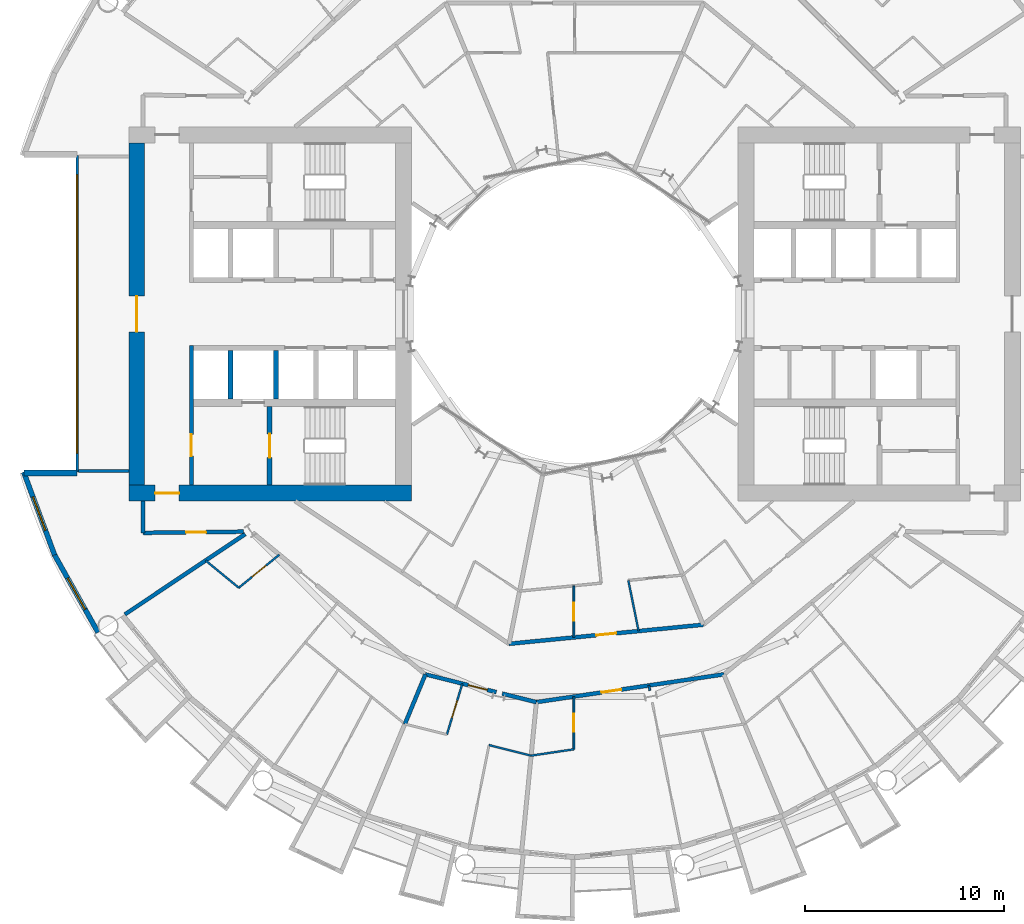
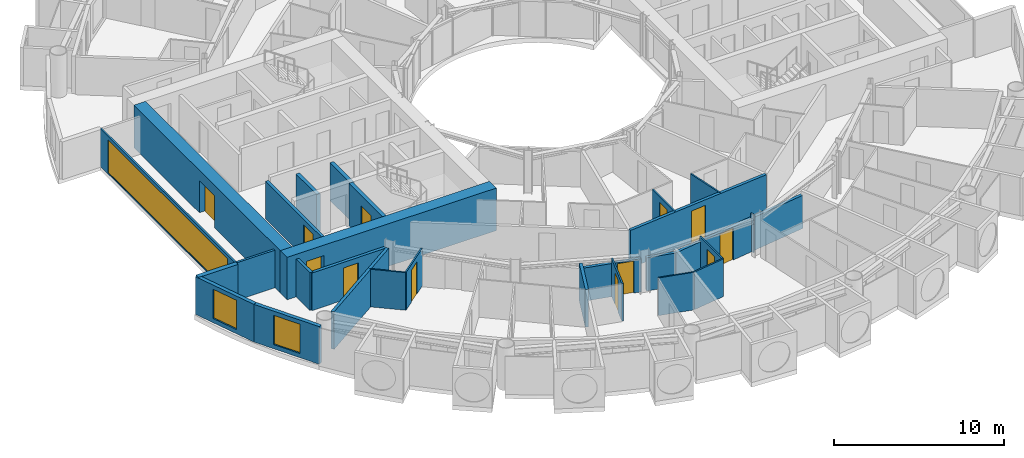
# One storey, part 14 of 26: 28 walls, 12 doors, 3 windows, 15 openings.
"""IFC4 building model written with IfcOpenShell, lengths in metres."""

from ifc_helpers import new_model, si_unit, direction, frame, frame_2d, origin, place, context, subcontext, project, spatial, rectangle, extrude, material, layer, layer_set, type_object, element, fill, save


model = new_model("IFC4")

# Units and contexts
model_context = context("Model", 3, precision=1e-05, world=origin(), true_north=direction((0.0, 1.0)))
body_context = subcontext(model_context, "Body", "Model", "MODEL_VIEW")
ifc_project = project(units=[si_unit("LENGTHUNIT", "METRE"), si_unit("AREAUNIT", "SQUARE_METRE"), si_unit("VOLUMEUNIT", "CUBIC_METRE"), si_unit("PLANEANGLEUNIT", "RADIAN"), si_unit("MASSUNIT", "GRAM", prefix="KILO")], contexts=[model_context])

# Site, building, storey
site_placement = place(None, origin())
site = spatial("IfcSite", under=ifc_project, at=site_placement, CompositionType="ELEMENT")
building_placement = place(site_placement, origin())
building = spatial("IfcBuilding", under=site, at=building_placement, Name="Maasbend Ring Residences", CompositionType="ELEMENT")
storey_placement = place(building_placement, frame((0.0, 0.0, 38.050048828125)))
storey = spatial("IfcBuildingStorey", under=building, at=storey_placement, Name="L10", CompositionType="ELEMENT", Elevation=38.050048828125)

# Wall, opening, door
ifc_material_1 = material(Name="Concrete C70/85", Category="concrete")
ifc_layer_1 = layer(ifc_material_1, 0.25)
ifc_layer_set_1 = layer_set([ifc_layer_1], Name="Concrete C70/85")
wall_type_1 = type_object("IfcWallType", Name="CORE WALL 250 C70/85", PredefinedType="SHEAR", material=ifc_layer_set_1)
wall_1_placement = place(storey_placement, frame((-15.324951171875, -4.64990234375, 0.0), z_axis=(0.0, 0.0, 1.0), x_axis=(0.0, -1.0, 0.0)))
wall_1 = element("IfcWall", 1, at=wall_1_placement, inside=storey, type_object=wall_type_1, Name="L10 core W wall STEN", PredefinedType="SHEAR", context=body_context, shape_type="SweptSolid", body=[
    extrude(rectangle(XDim=3.9501953125, YDim=0.25, at=frame_2d((1.97509765625, 0.0))), origin(), (0.0, 0.0, 1.0), 3.050048828125),
])
opening_1_placement = place(wall_1_placement, frame((1.375, 0.0, 0.0)))
opening_1 = element("IfcOpeningElement", 2, at=opening_1_placement, cuts=wall_1, Name="Opening D-W1010", PredefinedType="OPENING", context=body_context, shape_type="SweptSolid", body=[
    extrude(rectangle(XDim=1.199951171875, YDim=2.300048828125, at=frame_2d((0.60009765625, 1.14990234375))), frame((0.0, 0.135009765625, 0.0), z_axis=(0.0, -1.0, 0.0), x_axis=(1.0, 0.0, 0.0)), (0.0, 0.0, 1.0), 0.27001953125),
])
ifc_material_2 = material(Name="Steel, powder coated", Category="steel")
door_type_1 = type_object("IfcDoorType", Name="STAIR DOOR 1200 X 2300 FD60", OperationType="NOTDEFINED", PredefinedType="DOOR", material=ifc_material_2)
door_1_placement = place(opening_1_placement, origin())
door_1 = element("IfcDoor", 3, at=door_1_placement, inside=storey, type_object=door_type_1, Name="Stair door ST-W L10", OperationType="SINGLE_SWING_LEFT", OverallHeight=2.300048828125, OverallWidth=1.199951171875, PredefinedType="DOOR", context=body_context, shape_type="SweptSolid", body=[
    extrude(rectangle(XDim=1.199951171875, YDim=2.300048828125, at=frame_2d((0.60009765625, 1.14990234375))), frame((0.0, 0.02490234375, 0.0), z_axis=(0.0, -1.0, 0.0), x_axis=(1.0, 0.0, 0.0)), (0.0, 0.0, 1.0), 0.050048828125),
])
fill(opening_1, door_1)

ifc_material_3 = material(Name="Concrete C70/85", Category="concrete")
ifc_layer_2 = layer(ifc_material_3, 0.800048828125)
ifc_layer_set_2 = layer_set([ifc_layer_2], Name="Concrete C70/85")
wall_type_2 = type_object("IfcWallType", Name="CORE WALL 800 C70/85", PredefinedType="SHEAR", material=ifc_layer_set_2)
wall_2_placement = place(storey_placement, frame((-22.39990234375, -9.0, 0.0), z_axis=(0.0, 0.0, 1.0), x_axis=(1.0, 0.0, 0.0)))
wall_2 = element("IfcWall", 4, at=wall_2_placement, inside=storey, type_object=wall_type_2, Name="L10 core W wall PN", PredefinedType="SHEAR", context=body_context, shape_type="SweptSolid", body=[
    extrude(rectangle(XDim=14.199951171875, YDim=0.800048828125, at=frame_2d((7.10009765625, 0.0))), origin(), (0.0, 0.0, 1.0), 3.050048828125),
])
opening_2_placement = place(wall_2_placement, frame((1.324951171875, 0.0, 0.0)))
opening_2 = element("IfcOpeningElement", 5, at=opening_2_placement, cuts=wall_2, Name="Opening D-W1014", PredefinedType="OPENING", context=body_context, shape_type="SweptSolid", body=[
    extrude(rectangle(XDim=1.199951171875, YDim=2.300048828125, at=frame_2d((0.60009765625, 1.14990234375))), frame((0.0, 0.41015625, 0.0), z_axis=(0.0, -1.0, 0.0), x_axis=(1.0, 0.0, 0.0)), (0.0, 0.0, 1.0), 0.820068359375),
])
ifc_material_4 = material(Name="Steel, powder coated", Category="steel")
door_type_2 = type_object("IfcDoorType", Name="CORRIDOR DOOR 1200 X 2300 FD30S", OperationType="NOTDEFINED", PredefinedType="DOOR", material=ifc_material_4)
door_2_placement = place(opening_2_placement, origin())
door_2 = element("IfcDoor", 6, at=door_2_placement, inside=storey, type_object=door_type_2, Name="Corridor door L10", OperationType="SINGLE_SWING_RIGHT", OverallHeight=2.300048828125, OverallWidth=1.199951171875, PredefinedType="DOOR", context=body_context, shape_type="SweptSolid", body=[
    extrude(rectangle(XDim=1.199951171875, YDim=2.300048828125, at=frame_2d((0.60009765625, 1.14990234375))), frame((0.0, 0.02490234375, 0.0), z_axis=(0.0, -1.0, 0.0), x_axis=(1.0, 0.0, 0.0)), (0.0, 0.0, 1.0), 0.050048828125),
])
fill(opening_2, door_2)

wall_3_placement = place(storey_placement, frame((-22.0, -8.60009765625, 0.0), z_axis=(0.0, 0.0, 1.0), x_axis=(0.0, 1.0, 0.0)))
wall_3 = element("IfcWall", 7, at=wall_3_placement, inside=storey, type_object=wall_type_2, Name="L10 core W wall POUT", PredefinedType="SHEAR", context=body_context, shape_type="SweptSolid", body=[
    extrude(rectangle(XDim=17.2001953125, YDim=0.800048828125, at=frame_2d((8.60009765625, 0.0))), origin(), (0.0, 0.0, 1.0), 3.050048828125),
])
opening_3_placement = place(wall_3_placement, frame((7.699951171875, 0.0, 0.0)))
opening_3 = element("IfcOpeningElement", 8, at=opening_3_placement, cuts=wall_3, Name="Opening D-W1016", PredefinedType="OPENING", context=body_context, shape_type="SweptSolid", body=[
    extrude(rectangle(XDim=1.800048828125, YDim=2.300048828125, at=frame_2d((0.89990234375, 1.14990234375))), frame((0.0, 0.41015625, 0.0), z_axis=(0.0, -1.0, 0.0), x_axis=(1.0, 0.0, 0.0)), (0.0, 0.0, 1.0), 0.820068359375),
])
ifc_material_5 = material(Name="Aluminium frame, clear glass", Category="aluminium")
door_type_3 = type_object("IfcDoorType", Name="ENTRANCE DOOR 1800 X 2300 FD60", OperationType="NOTDEFINED", PredefinedType="DOOR", material=ifc_material_5)
door_3_placement = place(opening_3_placement, origin())
door_3 = element("IfcDoor", 9, at=door_3_placement, inside=storey, type_object=door_type_3, Name="Lobby glazed door L10", OperationType="SINGLE_SWING_LEFT", OverallHeight=2.300048828125, OverallWidth=1.800048828125, PredefinedType="DOOR", context=body_context, shape_type="SweptSolid", body=[
    extrude(rectangle(XDim=1.800048828125, YDim=2.300048828125, at=frame_2d((0.89990234375, 1.14990234375))), frame((0.0, 0.02490234375, 0.0), z_axis=(0.0, -1.0, 0.0), x_axis=(1.0, 0.0, 0.0)), (0.0, 0.0, 1.0), 0.050048828125),
])
fill(opening_3, door_3)

ifc_material_6 = material(Name="Concrete C30/37", Category="concrete")
ifc_layer_3 = layer(ifc_material_6, 0.199951171875)
ifc_layer_set_3 = layer_set([ifc_layer_3], Name="Concrete C30/37")
wall_type_3 = type_object("IfcWallType", Name="CORRIDOR WALL 200 CONCRETE", PredefinedType="PARTITIONING", material=ifc_layer_set_3)
wall_4_placement = place(storey_placement, frame((-7.5009765625, -18.10791015625, 0.0), z_axis=(0.0, 0.0, 1.0), x_axis=(0.970040840928, -0.242941900323, 0.0)))
wall_4 = element("IfcWall", 10, at=wall_4_placement, inside=storey, type_object=wall_type_3, Name="U-L10-w011", PredefinedType="PARTITIONING", context=body_context, shape_type="SweptSolid", body=[
    extrude(rectangle(XDim=3.676025390625, YDim=0.199951171875, at=frame_2d((1.837890625, 0.0))), origin(), (0.0, 0.0, 1.0), 2.3798828125),
])
opening_4_placement = place(wall_4_placement, frame((2.217041015625, 0.0, 0.0)))
opening_4 = element("IfcOpeningElement", 11, at=opening_4_placement, cuts=wall_4, Name="Opening D-1039", PredefinedType="OPENING", context=body_context, shape_type="SweptSolid", body=[
    extrude(rectangle(XDim=1.0, YDim=2.300048828125, at=frame_2d((0.5, 1.14990234375))), frame((0.0, 0.10986328125, 0.0), z_axis=(0.0, -1.0, 0.0), x_axis=(1.0, 0.0, 0.0)), (0.0, 0.0, 1.0), 0.219970703125),
])
ifc_material_7 = material(Name="Timber, fire-rated, painted", Category="wood")
door_type_4 = type_object("IfcDoorType", Name="FLAT ENTRANCE DOOR 1000 X 2300 FIRE-RATED", OperationType="NOTDEFINED", PredefinedType="DOOR", material=ifc_material_7)
door_4_placement = place(opening_4_placement, origin())
door_4 = element("IfcDoor", 12, at=door_4_placement, inside=storey, type_object=door_type_4, Name="D-1039", OperationType="SINGLE_SWING_RIGHT", OverallHeight=2.300048828125, OverallWidth=1.0, PredefinedType="DOOR", context=body_context, shape_type="SweptSolid", body=[
    extrude(rectangle(XDim=1.0, YDim=2.300048828125, at=frame_2d((0.5, 1.14990234375))), frame((0.0, 0.02490234375, 0.0), z_axis=(0.0, -1.0, 0.0), x_axis=(1.0, 0.0, 0.0)), (0.0, 0.0, 1.0), 0.050048828125),
])
fill(opening_4, door_4)

# Wall
wall_5_placement = place(storey_placement, frame((-3.638916015625, -19.075927734375, 0.0), z_axis=(0.0, 0.0, 1.0), x_axis=(0.970053237222, -0.242892397895, 0.0)))
element("IfcWall", 13, at=wall_5_placement, inside=storey, type_object=wall_type_3, Name="U-L10-w012", PredefinedType="PARTITIONING", context=body_context, shape_type="SweptSolid", body=[
    extrude(rectangle(XDim=1.77099609375, YDim=0.199951171875, at=frame_2d((0.885498046875, 0.0))), origin(), (0.0, 0.0, 1.0), 2.3798828125),
])

# Wall, opening, door
wall_6_placement = place(storey_placement, frame((-1.927001953125, -19.506103515625, 0.0), z_axis=(0.0, 0.0, 1.0), x_axis=(0.989181308547, 0.146698121399, 0.0)))
wall_6 = element("IfcWall", 14, at=wall_6_placement, inside=storey, type_object=wall_type_3, Name="U-L10-w013", PredefinedType="PARTITIONING", context=body_context, shape_type="SweptSolid", body=[
    extrude(rectangle(XDim=9.531005859375, YDim=0.199951171875, at=frame_2d((4.765625, 0.0))), origin(), (0.0, 0.0, 1.0), 2.3798828125),
])
opening_5_placement = place(wall_6_placement, frame((3.31591796875, 0.0, 0.0)))
opening_5 = element("IfcOpeningElement", 15, at=opening_5_placement, cuts=wall_6, Name="Opening D-1042", PredefinedType="OPENING", context=body_context, shape_type="SweptSolid", body=[
    extrude(rectangle(XDim=1.0, YDim=2.300048828125, at=frame_2d((0.5, 1.14990234375))), frame((0.0, 0.10986328125, 0.0), z_axis=(0.0, -1.0, 0.0), x_axis=(1.0, 0.0, 0.0)), (0.0, 0.0, 1.0), 0.219970703125),
])
door_5_placement = place(opening_5_placement, origin())
door_5 = element("IfcDoor", 16, at=door_5_placement, inside=storey, type_object=door_type_4, Name="D-1042", OperationType="SINGLE_SWING_LEFT", OverallHeight=2.300048828125, OverallWidth=1.0, PredefinedType="DOOR", context=body_context, shape_type="SweptSolid", body=[
    extrude(rectangle(XDim=1.0, YDim=2.300048828125, at=frame_2d((0.5, 1.14990234375))), frame((0.0, 0.02490234375, 0.0), z_axis=(0.0, -1.0, 0.0), x_axis=(1.0, 0.0, 0.0)), (0.0, 0.0, 1.0), 0.050048828125),
])
fill(opening_5, door_5)

wall_7_placement = place(storey_placement, frame((-3.297119140625, -16.574951171875, 0.0), z_axis=(0.0, 0.0, 1.0), x_axis=(0.995201860711, 0.097843019361, 0.0)))
wall_7 = element("IfcWall", 17, at=wall_7_placement, inside=storey, type_object=wall_type_3, Name="U-L10-w016", PredefinedType="PARTITIONING", context=body_context, shape_type="SweptSolid", body=[
    extrude(rectangle(XDim=9.811279296875, YDim=0.199951171875, at=frame_2d((4.90576171875, 0.0))), origin(), (0.0, 0.0, 1.0), 2.699951171875),
])
opening_6_placement = place(wall_7_placement, frame((4.406005859375, 0.0, 0.0)))
opening_6 = element("IfcOpeningElement", 18, at=opening_6_placement, cuts=wall_7, Name="Opening D-1057", PredefinedType="OPENING", context=body_context, shape_type="SweptSolid", body=[
    extrude(rectangle(XDim=1.0, YDim=2.300048828125, at=frame_2d((0.5, 1.14990234375))), frame((0.0, 0.10986328125, 0.0), z_axis=(0.0, -1.0, 0.0), x_axis=(1.0, 0.0, 0.0)), (0.0, 0.0, 1.0), 0.219970703125),
])
door_6_placement = place(opening_6_placement, origin())
door_6 = element("IfcDoor", 19, at=door_6_placement, inside=storey, type_object=door_type_4, Name="D-1057", OperationType="SINGLE_SWING_RIGHT", OverallHeight=2.300048828125, OverallWidth=1.0, PredefinedType="DOOR", context=body_context, shape_type="SweptSolid", body=[
    extrude(rectangle(XDim=1.0, YDim=2.300048828125, at=frame_2d((0.5, 1.14990234375))), frame((0.0, 0.02490234375, 0.0), z_axis=(0.0, -1.0, 0.0), x_axis=(1.0, 0.0, 0.0)), (0.0, 0.0, 1.0), 0.050048828125),
])
fill(opening_6, door_6)

wall_8_placement = place(storey_placement, frame((-21.675048828125, -11.0, 0.0), z_axis=(0.0, 0.0, 1.0), x_axis=(0.999928980998, 0.011917758204, 0.0)))
wall_8 = element("IfcWall", 20, at=wall_8_placement, inside=storey, type_object=wall_type_3, Name="U-L10-w025", PredefinedType="PARTITIONING", context=body_context, shape_type="SweptSolid", body=[
    extrude(rectangle(XDim=5.039306640625, YDim=0.199951171875, at=frame_2d((2.51953125, 0.0))), origin(), (0.0, 0.0, 1.0), 2.699951171875),
])
opening_7_placement = place(wall_8_placement, frame((2.154052734375, 0.0, 0.0)))
opening_7 = element("IfcOpeningElement", 21, at=opening_7_placement, cuts=wall_8, Name="Opening D-1065", PredefinedType="OPENING", context=body_context, shape_type="SweptSolid", body=[
    extrude(rectangle(XDim=1.0, YDim=2.300048828125, at=frame_2d((0.5, 1.14990234375))), frame((0.0, 0.10986328125, 0.0), z_axis=(0.0, -1.0, 0.0), x_axis=(1.0, 0.0, 0.0)), (0.0, 0.0, 1.0), 0.219970703125),
])
ifc_material_8 = material(Name="Timber, painted", Category="wood")
door_type_5 = type_object("IfcDoorType", Name="ROOM DOOR 1000 X 2300", OperationType="NOTDEFINED", PredefinedType="DOOR", material=ifc_material_8)
door_7_placement = place(opening_7_placement, origin())
door_7 = element("IfcDoor", 22, at=door_7_placement, inside=storey, type_object=door_type_5, Name="D-1065", OperationType="SINGLE_SWING_RIGHT", OverallHeight=2.300048828125, OverallWidth=1.0, PredefinedType="DOOR", context=body_context, shape_type="SweptSolid", body=[
    extrude(rectangle(XDim=1.0, YDim=2.300048828125, at=frame_2d((0.5, 1.14990234375))), frame((0.0, 0.02490234375, 0.0), z_axis=(0.0, -1.0, 0.0), x_axis=(1.0, 0.0, 0.0)), (0.0, 0.0, 1.0), 0.050048828125),
])
fill(opening_7, door_7)

# Wall
wall_9_placement = place(storey_placement, frame((-21.675048828125, -11.0, 0.0), z_axis=(0.0, 0.0, 1.0), x_axis=(0.0, 1.0, 0.0)))
element("IfcWall", 23, at=wall_9_placement, inside=storey, type_object=wall_type_3, Name="U-L10-w115", PredefinedType="PARTITIONING", context=body_context, shape_type="SweptSolid", body=[
    extrude(rectangle(XDim=1.60009765625, YDim=0.199951171875, at=frame_2d((0.800048828125, 0.0))), origin(), (0.0, 0.0, 1.0), 2.699951171875),
])

# Wall, opening, window
ifc_material_9 = material(Name="Aluminium clad insulated panel", Category="aluminium")
ifc_layer_4 = layer(ifc_material_9, 0.25)
ifc_layer_set_4 = layer_set([ifc_layer_4], Name="EW-HORN")
wall_type_4 = type_object("IfcWallType", Name="EW-HORN", PredefinedType="SOLIDWALL", material=ifc_layer_set_4)
wall_10_placement = place(storey_placement, frame((-27.681884765625, -7.945068359375, 0.0), z_axis=(0.0, 0.0, 1.0), x_axis=(0.349247811493, -0.937030397675, 0.0)))
wall_10 = element("IfcWall", 24, at=wall_10_placement, inside=storey, type_object=wall_type_4, Name="Horn wall 3.1", PredefinedType="SOLIDWALL", context=body_context, shape_type="SweptSolid", body=[
    extrude(rectangle(XDim=4.4521484375, YDim=0.25, at=frame_2d((2.22607421875, 0.0))), origin(), (0.0, 0.0, 1.0), 2.699951171875),
])
opening_8_placement = place(wall_10_placement, frame((1.32666015625, 0.0, 0.300048828125)))
opening_8 = element("IfcOpeningElement", 25, at=opening_8_placement, cuts=wall_10, Name="Opening W-BX", PredefinedType="OPENING", context=body_context, shape_type="SweptSolid", body=[
    extrude(rectangle(XDim=1.800048828125, YDim=2.10009765625, at=frame_2d((0.89990234375, 1.050048828125))), frame((0.0, 0.135009765625, 0.0), z_axis=(0.0, -1.0, 0.0), x_axis=(1.0, 0.0, 0.0)), (0.0, 0.0, 1.0), 0.27001953125),
])
ifc_material_10 = material(Name="Aluminium and clear glass", Category="aluminium")
window_type_1 = type_object("IfcWindowType", Name="W-BX", PartitioningType="DOUBLE_PANEL_VERTICAL", PredefinedType="WINDOW", material=ifc_material_10)
window_1_placement = place(opening_8_placement, origin())
window_1 = element("IfcWindow", 26, at=window_1_placement, inside=storey, type_object=window_type_1, Name="Horn window 3.1", OverallHeight=2.10009765625, OverallWidth=1.800048828125, PartitioningType="SINGLE_PANEL", PredefinedType="WINDOW", context=body_context, shape_type="SweptSolid", body=[
    extrude(rectangle(XDim=1.800048828125, YDim=2.10009765625, at=frame_2d((0.89990234375, 1.050048828125))), frame((0.0, 0.030029296875, 0.0), z_axis=(0.0, -1.0, 0.0), x_axis=(1.0, 0.0, 0.0)), (0.0, 0.0, 1.0), 0.06005859375),
])
fill(opening_8, window_1)

wall_11_placement = place(storey_placement, frame((-26.126953125, -12.116943359375, 0.0), z_axis=(0.0, 0.0, 1.0), x_axis=(0.489696356642, -0.871893042919, 0.0)))
wall_11 = element("IfcWall", 27, at=wall_11_placement, inside=storey, type_object=wall_type_4, Name="Horn wall 3.2", PredefinedType="SOLIDWALL", context=body_context, shape_type="SweptSolid", body=[
    extrude(rectangle(XDim=4.45361328125, YDim=0.25, at=frame_2d((2.226806640625, 0.0))), origin(), (0.0, 0.0, 1.0), 2.699951171875),
])
opening_9_placement = place(wall_11_placement, frame((1.32666015625, 0.0, 0.300048828125)))
opening_9 = element("IfcOpeningElement", 28, at=opening_9_placement, cuts=wall_11, Name="Opening W-BX", PredefinedType="OPENING", context=body_context, shape_type="SweptSolid", body=[
    extrude(rectangle(XDim=1.800048828125, YDim=2.10009765625, at=frame_2d((0.89990234375, 1.050048828125))), frame((0.0, 0.135009765625, 0.0), z_axis=(0.0, -1.0, 0.0), x_axis=(1.0, 0.0, 0.0)), (0.0, 0.0, 1.0), 0.27001953125),
])
window_2_placement = place(opening_9_placement, origin())
window_2 = element("IfcWindow", 29, at=window_2_placement, inside=storey, type_object=window_type_1, Name="Horn window 3.2", OverallHeight=2.10009765625, OverallWidth=1.800048828125, PartitioningType="SINGLE_PANEL", PredefinedType="WINDOW", context=body_context, shape_type="SweptSolid", body=[
    extrude(rectangle(XDim=1.800048828125, YDim=2.10009765625, at=frame_2d((0.89990234375, 1.050048828125))), frame((0.0, 0.030029296875, 0.0), z_axis=(0.0, -1.0, 0.0), x_axis=(1.0, 0.0, 0.0)), (0.0, 0.0, 1.0), 0.06005859375),
])
fill(opening_9, window_2)

# Wall
ifc_material_11 = material(Name="Aluminium clad insulated panel", Category="aluminium")
ifc_layer_5 = layer(ifc_material_11, 0.300048828125)
ifc_layer_set_5 = layer_set([ifc_layer_5], Name="EW-RET")
wall_type_5 = type_object("IfcWallType", Name="EW-RET", PredefinedType="SOLIDWALL", material=ifc_layer_set_5)
wall_12_placement = place(storey_placement, frame((-25.0, -8.0, 0.0), z_axis=(0.0, 0.0, 1.0), x_axis=(-1.0, 0.0, 0.0)))
element("IfcWall", 30, at=wall_12_placement, inside=storey, type_object=wall_type_5, Name="Notch return wall west south", PredefinedType="SOLIDWALL", context=body_context, shape_type="SweptSolid", body=[
    extrude(rectangle(XDim=2.6669921875, YDim=0.300048828125, at=frame_2d((1.33349609375, 0.0))), origin(), (0.0, 0.0, 1.0), 2.699951171875),
])

# Wall, opening, window
ifc_material_12 = material(Name="Aluminium frame and clear glass", Category="aluminium")
ifc_layer_6 = layer(ifc_material_12, 0.1201171875)
ifc_layer_set_6 = layer_set([ifc_layer_6], Name="GLAZED SCREEN WALL 120 EI 60")
wall_type_6 = type_object("IfcWallType", Name="GLAZED SCREEN WALL 120 EI 60", PredefinedType="PARTITIONING", material=ifc_layer_set_6)
wall_13_placement = place(storey_placement, frame((-25.0, 7.949951171875, 0.0), z_axis=(0.0, 0.0, 1.0), x_axis=(0.0, -1.0, 0.0)))
wall_13 = element("IfcWall", 31, at=wall_13_placement, inside=storey, type_object=wall_type_6, Name="L10 core W wall FACE", PredefinedType="PARTITIONING", context=body_context, shape_type="SweptSolid", body=[
    extrude(rectangle(XDim=15.89990234375, YDim=0.1201171875, at=frame_2d((7.949951171875, 0.0))), origin(), (0.0, 0.0, 1.0), 2.699951171875),
])
opening_10_placement = place(wall_13_placement, frame((0.949951171875, 0.0, 0.10009765625)))
opening_10 = element("IfcOpeningElement", 32, at=opening_10_placement, cuts=wall_13, Name="Opening W-W1002", PredefinedType="OPENING", context=body_context, shape_type="SweptSolid", body=[
    extrude(rectangle(XDim=14.0, YDim=2.35009765625, at=frame_2d((7.0, 1.175048828125))), frame((0.0, 0.070068359375, 0.0), z_axis=(0.0, -1.0, 0.0), x_axis=(1.0, 0.0, 0.0)), (0.0, 0.0, 1.0), 0.14013671875),
])
ifc_material_13 = material(Name="Aluminium frame and clear glass", Category="aluminium")
window_type_2 = type_object("IfcWindowType", Name="FIXED WINDOW 14000 X 2350", PartitioningType="SINGLE_PANEL", PredefinedType="WINDOW", material=ifc_material_13)
window_3_placement = place(opening_10_placement, origin())
window_3 = element("IfcWindow", 33, at=window_3_placement, inside=storey, type_object=window_type_2, Name="Lobby window L10", OverallHeight=2.35009765625, OverallWidth=14.0, PartitioningType="SINGLE_PANEL", PredefinedType="WINDOW", context=body_context, shape_type="SweptSolid", body=[
    extrude(rectangle(XDim=14.0, YDim=2.35009765625, at=frame_2d((7.0, 1.175048828125))), frame((0.0, 0.030029296875, 0.0), z_axis=(0.0, -1.0, 0.0), x_axis=(1.0, 0.0, 0.0)), (0.0, 0.0, 1.0), 0.06005859375),
])
fill(opening_10, window_3)

# Walls
ifc_material_14 = material(Name="Gypsum board on steel studs", Category="steel")
ifc_layer_7 = layer(ifc_material_14, 0.10009765625)
ifc_layer_set_7 = layer_set([ifc_layer_7], Name="PARTITION 100 GYPSUM")
wall_type_7 = type_object("IfcWallType", Name="PARTITION 100 GYPSUM", PredefinedType="PARTITIONING", material=ifc_layer_set_7)
wall_14_placement = place(storey_placement, frame((-4.302001953125, -21.6630859375, 0.0), z_axis=(0.0, 0.0, 1.0), x_axis=(0.97003047456, -0.242983288366, 0.0)))
element("IfcWall", 34, at=wall_14_placement, inside=storey, type_object=wall_type_7, Name="U-L10-w002", PredefinedType="PARTITIONING", context=body_context, shape_type="SweptSolid", body=[
    extrude(rectangle(XDim=2.181396484375, YDim=0.10009765625, at=frame_2d((1.0908203125, 0.0))), origin(), (0.0, 0.0, 1.0), 2.699951171875),
])
wall_15_placement = place(storey_placement, frame((-2.18603515625, -22.193115234375, 0.0), z_axis=(0.0, 0.0, 1.0), x_axis=(0.989171386505, 0.146765009863, 0.0)))
element("IfcWall", 35, at=wall_15_placement, inside=storey, type_object=wall_type_7, Name="U-L10-w005", PredefinedType="PARTITIONING", context=body_context, shape_type="SweptSolid", body=[
    extrude(rectangle(XDim=2.16748046875, YDim=0.10009765625, at=frame_2d((1.083740234375, 0.0))), origin(), (0.0, 0.0, 1.0), 2.699951171875),
])
wall_16_placement = place(storey_placement, frame((-18.5419921875, -12.388916015625, 0.0), z_axis=(0.0, 0.0, 1.0), x_axis=(0.772948171844, -0.634469166818, 0.0)))
element("IfcWall", 36, at=wall_16_placement, inside=storey, type_object=wall_type_7, Name="U-L10-w007", PredefinedType="PARTITIONING", context=body_context, shape_type="SweptSolid", body=[
    extrude(rectangle(XDim=2.157958984375, YDim=0.10009765625, at=frame_2d((1.0791015625, 0.0))), origin(), (0.0, 0.0, 1.0), 2.699951171875),
])

# Wall, opening, door
wall_17_placement = place(storey_placement, frame((-16.8740234375, -13.758056640625, 0.0), z_axis=(0.0, 0.0, 1.0), x_axis=(0.774979608522, 0.631986239072, 0.0)))
wall_17 = element("IfcWall", 37, at=wall_17_placement, inside=storey, type_object=wall_type_7, Name="U-L10-w034", PredefinedType="PARTITIONING", context=body_context, shape_type="SweptSolid", body=[
    extrude(rectangle(XDim=2.63623046875, YDim=0.10009765625, at=frame_2d((1.318115234375, 0.0))), origin(), (0.0, 0.0, 1.0), 2.699951171875),
])
opening_11_placement = place(wall_17_placement, frame((0.867919921875, 0.0, 0.0)))
opening_11 = element("IfcOpeningElement", 38, at=opening_11_placement, cuts=wall_17, Name="Opening D-1034", PredefinedType="OPENING", context=body_context, shape_type="SweptSolid", body=[
    extrude(rectangle(XDim=0.89990234375, YDim=2.300048828125, at=frame_2d((0.449951171875, 1.14990234375))), frame((0.0, 0.06005859375, 0.0), z_axis=(0.0, -1.0, 0.0), x_axis=(1.0, 0.0, 0.0)), (0.0, 0.0, 1.0), 0.1201171875),
])
ifc_material_15 = material(Name="Timber, painted", Category="wood")
door_type_6 = type_object("IfcDoorType", Name="INTERNAL DOOR 900 X 2300", OperationType="NOTDEFINED", PredefinedType="DOOR", material=ifc_material_15)
door_8_placement = place(opening_11_placement, origin())
door_8 = element("IfcDoor", 39, at=door_8_placement, inside=storey, type_object=door_type_6, Name="D-1034", OperationType="SINGLE_SWING_LEFT", OverallHeight=2.300048828125, OverallWidth=0.89990234375, PredefinedType="DOOR", context=body_context, shape_type="SweptSolid", body=[
    extrude(rectangle(XDim=0.89990234375, YDim=2.300048828125, at=frame_2d((0.449951171875, 1.14990234375))), frame((0.0, 0.02490234375, 0.0), z_axis=(0.0, -1.0, 0.0), x_axis=(1.0, 0.0, 0.0)), (0.0, 0.0, 1.0), 0.050048828125),
])
fill(opening_11, door_8)

wall_18_placement = place(storey_placement, frame((-6.41796875, -21.133056640625, 0.0), z_axis=(0.0, 0.0, 1.0), x_axis=(0.290478618436, 0.956881482855, 0.0)))
wall_18 = element("IfcWall", 40, at=wall_18_placement, inside=storey, type_object=wall_type_7, Name="U-L10-w047", PredefinedType="PARTITIONING", context=body_context, shape_type="SweptSolid", body=[
    extrude(rectangle(XDim=2.67431640625, YDim=0.10009765625, at=frame_2d((1.337158203125, 0.0))), origin(), (0.0, 0.0, 1.0), 2.699951171875),
])
opening_12_placement = place(wall_18_placement, frame((0.886962890625, 0.0, 0.0)))
opening_12 = element("IfcOpeningElement", 41, at=opening_12_placement, cuts=wall_18, Name="Opening D-1040", PredefinedType="OPENING", context=body_context, shape_type="SweptSolid", body=[
    extrude(rectangle(XDim=0.89990234375, YDim=2.300048828125, at=frame_2d((0.449951171875, 1.14990234375))), frame((0.0, 0.06005859375, 0.0), z_axis=(0.0, -1.0, 0.0), x_axis=(1.0, 0.0, 0.0)), (0.0, 0.0, 1.0), 0.1201171875),
])
door_9_placement = place(opening_12_placement, origin())
door_9 = element("IfcDoor", 42, at=door_9_placement, inside=storey, type_object=door_type_6, Name="D-1040", OperationType="SINGLE_SWING_LEFT", OverallHeight=2.300048828125, OverallWidth=0.89990234375, PredefinedType="DOOR", context=body_context, shape_type="SweptSolid", body=[
    extrude(rectangle(XDim=0.89990234375, YDim=2.300048828125, at=frame_2d((0.449951171875, 1.14990234375))), frame((0.0, 0.02490234375, 0.0), z_axis=(0.0, -1.0, 0.0), x_axis=(1.0, 0.0, 0.0)), (0.0, 0.0, 1.0), 0.050048828125),
])
fill(opening_12, door_9)

wall_19_placement = place(storey_placement, frame((-0.0419921875, -21.875, 0.0), z_axis=(0.0, 0.0, 1.0), x_axis=(0.001843314841, 0.999998301094, 0.0)))
wall_19 = element("IfcWall", 43, at=wall_19_placement, inside=storey, type_object=wall_type_7, Name="U-L10-w058", PredefinedType="PARTITIONING", context=body_context, shape_type="SweptSolid", body=[
    extrude(rectangle(XDim=2.64892578125, YDim=0.10009765625, at=frame_2d((1.324462890625, 0.0))), origin(), (0.0, 0.0, 1.0), 2.699951171875),
])
opening_13_placement = place(wall_19_placement, frame((0.875, 0.0, 0.0)))
opening_13 = element("IfcOpeningElement", 44, at=opening_13_placement, cuts=wall_19, Name="Opening D-1043", PredefinedType="OPENING", context=body_context, shape_type="SweptSolid", body=[
    extrude(rectangle(XDim=0.89990234375, YDim=2.300048828125, at=frame_2d((0.449951171875, 1.14990234375))), frame((0.0, 0.06005859375, 0.0), z_axis=(0.0, -1.0, 0.0), x_axis=(1.0, 0.0, 0.0)), (0.0, 0.0, 1.0), 0.1201171875),
])
door_10_placement = place(opening_13_placement, origin())
door_10 = element("IfcDoor", 45, at=door_10_placement, inside=storey, type_object=door_type_6, Name="D-1043", OperationType="SINGLE_SWING_RIGHT", OverallHeight=2.300048828125, OverallWidth=0.89990234375, PredefinedType="DOOR", context=body_context, shape_type="SweptSolid", body=[
    extrude(rectangle(XDim=0.89990234375, YDim=2.300048828125, at=frame_2d((0.449951171875, 1.14990234375))), frame((0.0, 0.02490234375, 0.0), z_axis=(0.0, -1.0, 0.0), x_axis=(1.0, 0.0, 0.0)), (0.0, 0.0, 1.0), 0.050048828125),
])
fill(opening_13, door_10)

wall_20_placement = place(storey_placement, frame((-0.0419921875, -16.2548828125, 0.0), z_axis=(0.0, 0.0, 1.0), x_axis=(0.00272632248, 0.999996283576, 0.0)))
wall_20 = element("IfcWall", 46, at=wall_20_placement, inside=storey, type_object=wall_type_7, Name="U-L10-w059", PredefinedType="PARTITIONING", context=body_context, shape_type="SweptSolid", body=[
    extrude(rectangle(XDim=2.596923828125, YDim=0.10009765625, at=frame_2d((1.29833984375, 0.0))), origin(), (0.0, 0.0, 1.0), 2.699951171875),
])
opening_14_placement = place(wall_20_placement, frame((0.84912109375, 0.0, 0.0)))
opening_14 = element("IfcOpeningElement", 47, at=opening_14_placement, cuts=wall_20, Name="Opening D-1059", PredefinedType="OPENING", context=body_context, shape_type="SweptSolid", body=[
    extrude(rectangle(XDim=0.89990234375, YDim=2.300048828125, at=frame_2d((0.449951171875, 1.14990234375))), frame((0.0, 0.06005859375, 0.0), z_axis=(0.0, -1.0, 0.0), x_axis=(1.0, 0.0, 0.0)), (0.0, 0.0, 1.0), 0.1201171875),
])
door_11_placement = place(opening_14_placement, origin())
door_11 = element("IfcDoor", 48, at=door_11_placement, inside=storey, type_object=door_type_6, Name="D-1059", OperationType="SINGLE_SWING_RIGHT", OverallHeight=2.300048828125, OverallWidth=0.89990234375, PredefinedType="DOOR", context=body_context, shape_type="SweptSolid", body=[
    extrude(rectangle(XDim=0.89990234375, YDim=2.300048828125, at=frame_2d((0.449951171875, 1.14990234375))), frame((0.0, 0.02490234375, 0.0), z_axis=(0.0, -1.0, 0.0), x_axis=(1.0, 0.0, 0.0)), (0.0, 0.0, 1.0), 0.050048828125),
])
fill(opening_14, door_11)

# Walls
wall_21_placement = place(storey_placement, frame((2.698974609375, -13.388916015625, 0.0), z_axis=(0.0, 0.0, 1.0), x_axis=(0.197923987231, -0.980217371443, 0.0)))
element("IfcWall", 49, at=wall_21_placement, inside=storey, type_object=wall_type_7, Name="U-L10-w064", PredefinedType="PARTITIONING", context=body_context, shape_type="SweptSolid", body=[
    extrude(rectangle(XDim=2.596435546875, YDim=0.10009765625, at=frame_2d((1.29833984375, 0.0))), origin(), (0.0, 0.0, 1.0), 2.699951171875),
])
wall_22_placement = place(storey_placement, frame((3.73193359375, -18.6669921875, 0.0), z_axis=(0.0, 0.0, 1.0), x_axis=(0.197040251839, -0.980395399395, 0.0)))
element("IfcWall", 50, at=wall_22_placement, inside=storey, type_object=wall_type_7, Name="U-L10-w067", PredefinedType="PARTITIONING", context=body_context, shape_type="SweptSolid", body=[
    extrude(rectangle(XDim=0.25390625, YDim=0.10009765625, at=frame_2d((0.126953125, 0.0))), origin(), (0.0, 0.0, 1.0), 2.699951171875),
])
ifc_material_16 = material(Name="Gypsum board on steel studs", Category="steel")
ifc_layer_8 = layer(ifc_material_16, 0.14990234375)
ifc_layer_set_8 = layer_set([ifc_layer_8], Name="PARTITION 150 EI 60")
wall_type_8 = type_object("IfcWallType", Name="PARTITION 150 EI 60", PredefinedType="PARTITIONING", material=ifc_layer_set_8)
wall_23_placement = place(storey_placement, frame((-22.39990234375, -7.89990234375, 0.0), z_axis=(0.0, 0.0, 1.0), x_axis=(-1.0, 0.0, 0.0)))
element("IfcWall", 51, at=wall_23_placement, inside=storey, type_object=wall_type_8, Name="L10 core W wall CITN", PredefinedType="PARTITIONING", context=body_context, shape_type="SweptSolid", body=[
    extrude(rectangle(XDim=2.5400390625, YDim=0.14990234375, at=frame_2d((1.27001953125, 0.0))), origin(), (0.0, 0.0, 1.0), 2.699951171875),
])
ifc_material_17 = material(Name="Concrete C30/37", Category="concrete")
ifc_layer_9 = layer(ifc_material_17, 0.199951171875)
ifc_layer_set_9 = layer_set([ifc_layer_9], Name="Concrete C30/37")
wall_type_9 = type_object("IfcWallType", Name="PARTY WALL 200 CONCRETE", PredefinedType="PARTITIONING", material=ifc_layer_set_9)
wall_24_placement = place(storey_placement, frame((-22.595947265625, -15.096923828125, 0.0), z_axis=(0.0, 0.0, 1.0), x_axis=(0.831610607528, 0.555359160765, 0.0)))
element("IfcWall", 52, at=wall_24_placement, inside=storey, type_object=wall_type_9, Name="U-L10-w029", PredefinedType="PARTITIONING", context=body_context, shape_type="SweptSolid", body=[
    extrude(rectangle(XDim=7.265380859375, YDim=0.199951171875, at=frame_2d((3.6328125, 0.0))), origin(), (0.0, 0.0, 1.0), 2.699951171875),
])
wall_25_placement = place(storey_placement, frame((-8.529052734375, -20.60498046875, 0.0), z_axis=(0.0, 0.0, 1.0), x_axis=(0.382540781694, 0.923938607452, 0.0)))
element("IfcWall", 53, at=wall_25_placement, inside=storey, type_object=wall_type_9, Name="U-L10-w044", PredefinedType="PARTITIONING", context=body_context, shape_type="SweptSolid", body=[
    extrude(rectangle(XDim=2.7001953125, YDim=0.199951171875, at=frame_2d((1.35009765625, 0.0))), origin(), (0.0, 0.0, 1.0), 2.699951171875),
])

# Wall, opening, door
ifc_material_18 = material(Name="Concrete C30/37", Category="concrete")
ifc_layer_10 = layer(ifc_material_18, 0.199951171875)
ifc_layer_set_10 = layer_set([ifc_layer_10], Name="Concrete C30/37")
wall_type_10 = type_object("IfcWallType", Name="SHAFT WALL 200 EI 120", PredefinedType="SOLIDWALL", material=ifc_layer_set_10)
wall_26_placement = place(storey_placement, frame((-19.25, -1.574951171875, 0.0), z_axis=(0.0, 0.0, 1.0), x_axis=(0.0, -1.0, 0.0)))
wall_26 = element("IfcWall", 54, at=wall_26_placement, inside=storey, type_object=wall_type_10, Name="L10 core W wall ENDN", PredefinedType="SOLIDWALL", context=body_context, shape_type="SweptSolid", body=[
    extrude(rectangle(XDim=7.025146484375, YDim=0.199951171875, at=frame_2d((3.5126953125, 0.0))), origin(), (0.0, 0.0, 1.0), 2.699951171875),
])
opening_15_placement = place(wall_26_placement, frame((4.47509765625, 0.0, 0.0)))
opening_15 = element("IfcOpeningElement", 55, at=opening_15_placement, cuts=wall_26, Name="Opening D-W1012", PredefinedType="OPENING", context=body_context, shape_type="SweptSolid", body=[
    extrude(rectangle(XDim=1.10009765625, YDim=2.300048828125, at=frame_2d((0.550048828125, 1.14990234375))), frame((0.0, 0.10986328125, 0.0), z_axis=(0.0, -1.0, 0.0), x_axis=(1.0, 0.0, 0.0)), (0.0, 0.0, 1.0), 0.219970703125),
])
ifc_material_19 = material(Name="Steel, powder coated", Category="steel")
door_type_7 = type_object("IfcDoorType", Name="LOBBY DOOR 1100 X 2300 FD60", OperationType="NOTDEFINED", PredefinedType="DOOR", material=ifc_material_19)
door_12_placement = place(opening_15_placement, origin())
door_12 = element("IfcDoor", 56, at=door_12_placement, inside=storey, type_object=door_type_7, Name="Lobby door L10", OperationType="SINGLE_SWING_LEFT", OverallHeight=2.300048828125, OverallWidth=1.10009765625, PredefinedType="DOOR", context=body_context, shape_type="SweptSolid", body=[
    extrude(rectangle(XDim=1.10009765625, YDim=2.300048828125, at=frame_2d((0.550048828125, 1.14990234375))), frame((0.0, 0.02490234375, 0.0), z_axis=(0.0, -1.0, 0.0), x_axis=(1.0, 0.0, 0.0)), (0.0, 0.0, 1.0), 0.050048828125),
])
fill(opening_15, door_12)

# Walls
ifc_material_20 = material(Name="Concrete C30/37", Category="concrete")
ifc_layer_11 = layer(ifc_material_20, 0.25)
ifc_layer_set_11 = layer_set([ifc_layer_11], Name="Concrete C30/37")
wall_type_11 = type_object("IfcWallType", Name="SHAFT WALL 250 EI 120", PredefinedType="SOLIDWALL", material=ifc_layer_set_11)
for number, where, z_axis, x_axis, name in (
    (57, (-15.0, -1.824951171875, 0.0), (0.0, 0.0, 1.0), (0.0, -1.0, 0.0), "L10 core W wall D150N"),
    (58, (-17.300048828125, -1.824951171875, 0.0), (0.0, 0.0, 1.0), (0.0, -1.0, 0.0), "L10 core W wall D173N"),
):
    element("IfcWall", number, at=place(storey_placement, frame(where, z_axis=z_axis, x_axis=x_axis)), inside=storey, type_object=wall_type_11, Name=name, PredefinedType="SOLIDWALL", context=body_context, shape_type="SweptSolid", body=[
        extrude(rectangle(XDim=2.449951171875, YDim=0.25, at=frame_2d((1.22509765625, 0.0))), origin(), (0.0, 0.0, 1.0), 2.699951171875),
    ])

save(model, "model.ifc")
